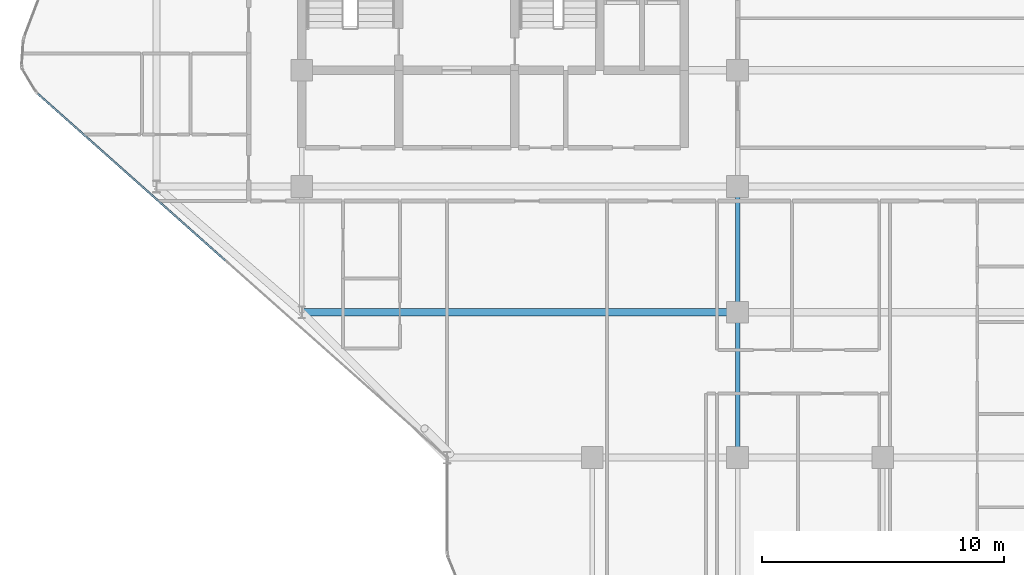
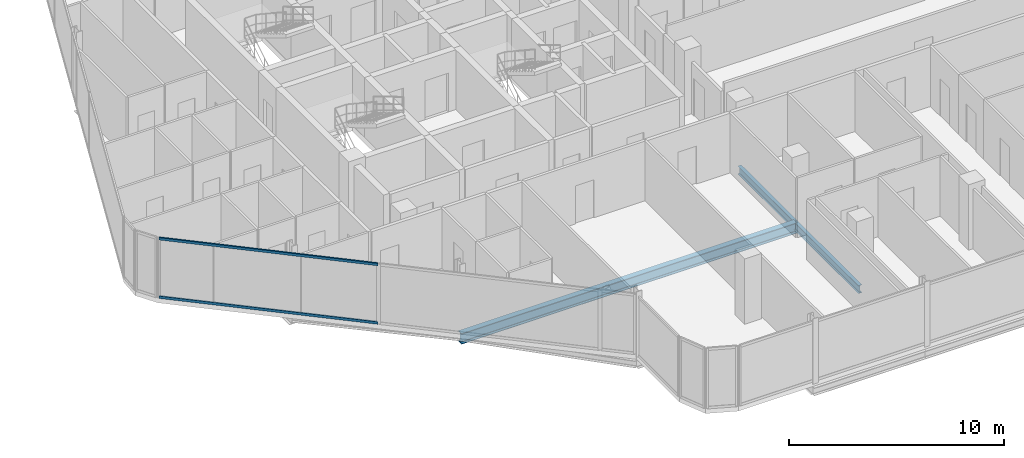
# One storey, part 6 of 31: 3 beams, 2 members, 1 element without a shape of its own.
"""IFC4 building model written with IfcOpenShell, lengths in metres."""

from ifc_helpers import new_model, si_unit, direction, frame, origin, origin_2d, place, context, subcontext, project, spatial, hollow_rectangle, i_section, extrude, material, layer, layer_set, material_profile, profile_set, type_object, element, aggregate, save


model = new_model("IFC4")

# Units and contexts
model_context = context("Model", 3, precision=1e-05, world=origin(), true_north=direction((0.0, 1.0)))
body_context = subcontext(model_context, "Body", "Model", "MODEL_VIEW")
ifc_project = project(units=[si_unit("LENGTHUNIT", "METRE"), si_unit("AREAUNIT", "SQUARE_METRE"), si_unit("VOLUMEUNIT", "CUBIC_METRE"), si_unit("PLANEANGLEUNIT", "RADIAN"), si_unit("MASSUNIT", "GRAM", prefix="KILO")], contexts=[model_context])

# Site, building, storey
site_placement = place(None, origin())
site = spatial("IfcSite", under=ifc_project, at=site_placement, CompositionType="ELEMENT")
building_placement = place(site_placement, origin())
building = spatial("IfcBuilding", under=site, at=building_placement, Name="Keshet Zoharim Tower", CompositionType="ELEMENT")
storey_placement = place(building_placement, frame((0.0, 0.0, 129.800048828125)))
storey = spatial("IfcBuildingStorey", under=building, at=storey_placement, Name="L31", CompositionType="ELEMENT", Elevation=129.800048828125)

# Beams
ifc_material_1 = material(Name="Steel S355", Category="steel")
ifc_material_profile_1 = material_profile(ifc_material_1, i_section(OverallWidth=0.300048828125, OverallDepth=0.60009765625, WebThickness=0.015380859375, FlangeThickness=0.030029296875, FilletRadius=0.027099609375, at=origin_2d()), Name="HEB600")
ifc_profile_set_1 = profile_set([ifc_material_profile_1], Name="Steel S355")
beam_type_1 = type_object("IfcBeamType", Name="BM-LNG-HB600", PredefinedType="BEAM", material=ifc_profile_set_1)
beam_1_placement = place(storey_placement, frame((15.0, 12.699951171875, -0.614990234375), z_axis=(1.0, 0.0, 0.0), x_axis=(0.0, 1.0, 0.0)))
element("IfcBeam", 1, at=beam_1_placement, inside=storey, type_object=beam_type_1, Name="L31 Primary Girder X-009", PredefinedType="BEAM", context=body_context, shape_type="SweptSolid", body=[
    extrude(i_section(OverallWidth=0.300048828125, OverallDepth=0.60009765625, WebThickness=0.015380859375, FlangeThickness=0.030029296875, FilletRadius=0.027099609375, at=origin_2d()), origin(), (0.0, 0.0, 1.0), 18.0),
])
ifc_material_profile_2 = material_profile(ifc_material_1, i_section(OverallWidth=0.18994140625, OverallDepth=0.449951171875, WebThickness=0.009521484375, FlangeThickness=0.0146484375, FilletRadius=0.02099609375, at=origin_2d()), Name="IPE450")
ifc_profile_set_2 = profile_set([ifc_material_profile_2], Name="Steel S355")
beam_type_2 = type_object("IfcBeamType", Name="BM-PRI-IP450", PredefinedType="BEAM", material=ifc_profile_set_2)
beam_2_placement = place(storey_placement, frame((33.0, 6.699951171875, -0.5400390625), z_axis=(0.0, 1.0, 0.0), x_axis=(-1.0, 0.0, 0.0)))
element("IfcBeam", 2, at=beam_2_placement, inside=storey, type_object=beam_type_2, Name="L31 Primary Girder Y-006", PredefinedType="BEAM", context=body_context, shape_type="SweptSolid", body=[
    extrude(i_section(OverallWidth=0.18994140625, OverallDepth=0.449951171875, WebThickness=0.009521484375, FlangeThickness=0.0146484375, FilletRadius=0.02099609375, at=origin_2d()), origin(), (0.0, 0.0, 1.0), 6.0),
])
beam_3_placement = place(storey_placement, frame((33.0, 12.699951171875, -0.5400390625), z_axis=(0.0, 1.0, 0.0), x_axis=(-1.0, 0.0, 0.0)))
element("IfcBeam", 3, at=beam_3_placement, inside=storey, type_object=beam_type_2, Name="L31 Primary Girder Y-007", PredefinedType="BEAM", context=body_context, shape_type="SweptSolid", body=[
    extrude(i_section(OverallWidth=0.18994140625, OverallDepth=0.449951171875, WebThickness=0.009521484375, FlangeThickness=0.0146484375, FilletRadius=0.02099609375, at=origin_2d()), origin(), (0.0, 0.0, 1.0), 5.199951171875),
])

# Curtain wall, members
ifc_material_2 = material(Name="Aluminium 6063-T6", Category="aluminium")
ifc_layer = layer(ifc_material_2, 0.159912109375)
ifc_layer_set = layer_set([ifc_layer], Name="Aluminium 6063-T6")
curtain_wall_type = type_object("IfcCurtainWallType", Name="CW-SYS-03", PredefinedType="NOTDEFINED", material=ifc_layer_set)
curtain_wall_placement = place(storey_placement, origin())
curtain_wall = element("IfcCurtainWall", 4, at=curtain_wall_placement, inside=storey, type_object=curtain_wall_type, Name="L31 Unitised Curtain Wall 07 Part 2", PredefinedType="NOTDEFINED")
ifc_material_profile_3 = material_profile(ifc_material_2, hollow_rectangle(XDim=0.080078125, YDim=0.139892578125, WallThickness=0.00390625, at=origin_2d()), Name="TRN-80x140")
ifc_profile_set_3 = profile_set([ifc_material_profile_3], Name="Aluminium 6063-T6")
member_type = type_object("IfcMemberType", Name="CWT-T14", PredefinedType="USERDEFINED", material=ifc_profile_set_3)
member_1_placement = place(storey_placement, frame((11.8388671875, 14.84326171875, 0.034912109375), z_axis=(-0.747411916254, 0.664360916552, 0.0), x_axis=(-0.664360916552, -0.747411916254, 0.0)))
member_1 = element("IfcMember", 5, at=member_1_placement, type_object=member_type, Name="CW-03 transom 2.1", ObjectType="TRANSOM", PredefinedType="USERDEFINED", context=body_context, shape_type="SweptSolid", body=[
    extrude(hollow_rectangle(XDim=0.080078125, YDim=0.139892578125, WallThickness=0.00390625, at=origin_2d()), origin(), (0.0, 0.0, 1.0), 10.37109375),
])
member_2_placement = place(storey_placement, frame((11.8388671875, 14.84326171875, 3.349853515625), z_axis=(-0.747411916254, 0.664360916552, 0.0), x_axis=(-0.664360916552, -0.747411916254, 0.0)))
member_2 = element("IfcMember", 6, at=member_2_placement, type_object=member_type, Name="CW-03 transom 2.2", ObjectType="TRANSOM", PredefinedType="USERDEFINED", context=body_context, shape_type="SweptSolid", body=[
    extrude(hollow_rectangle(XDim=0.080078125, YDim=0.139892578125, WallThickness=0.00390625, at=origin_2d()), origin(), (0.0, 0.0, 1.0), 10.37109375),
])
aggregate(curtain_wall, [member_1, member_2])

save(model, "model.ifc")
